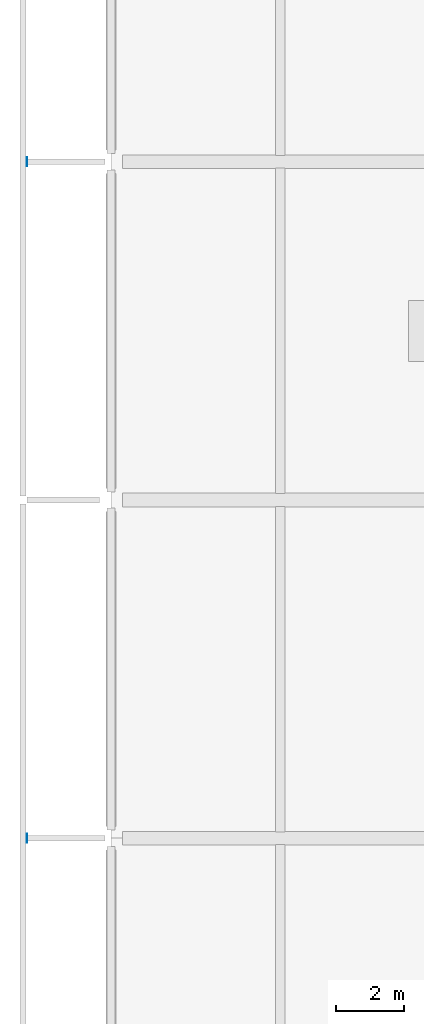
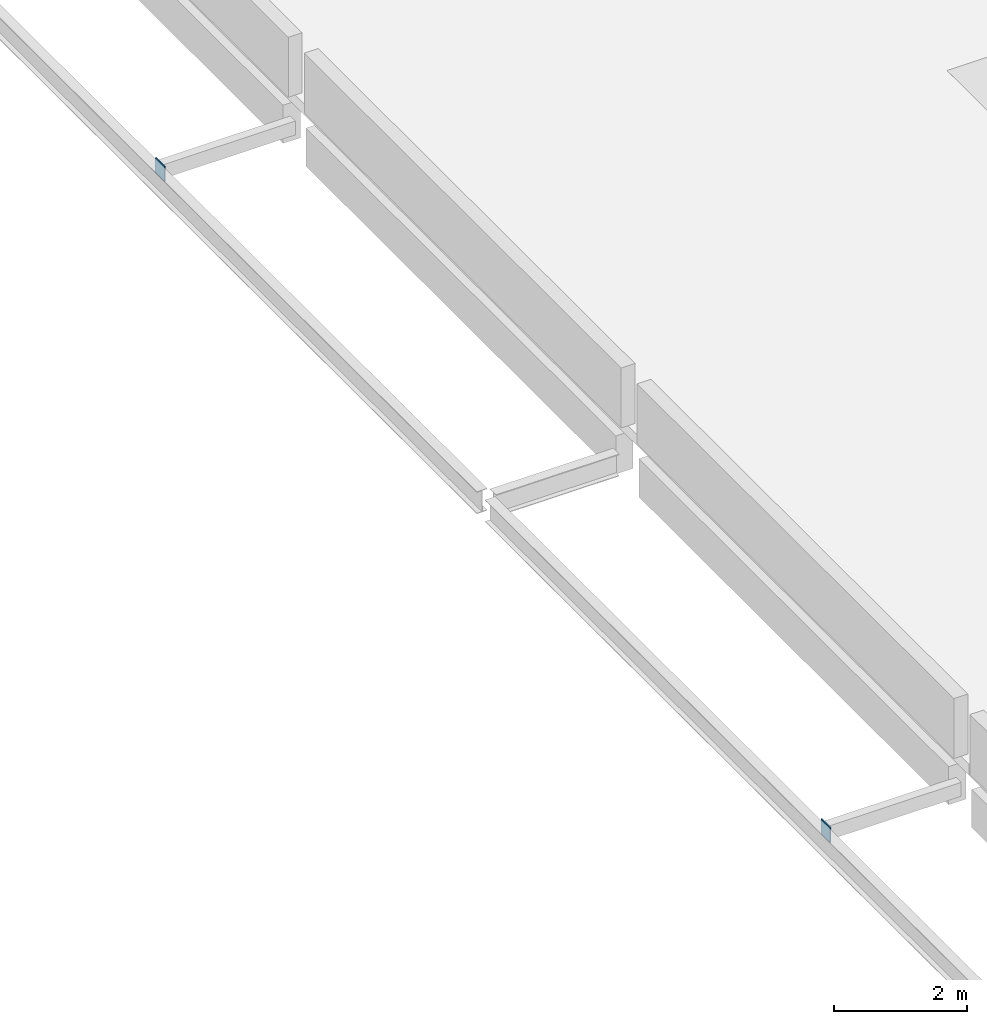
# One storey, part 111 of 179: 2 plates.
"""IFC4 building model written with IfcOpenShell, lengths in metres."""

from ifc_helpers import new_model, si_unit, direction, frame, origin, origin_2d, place, context, subcontext, project, spatial, rectangle, extrude, material, layer, layer_set, type_object, element, save


model = new_model("IFC4")

# Units and contexts
model_context = context("Model", 3, precision=1e-05, world=origin(), true_north=direction((0.0, 1.0)))
body_context = subcontext(model_context, "Body", "Model", "MODEL_VIEW")
ifc_project = project(units=[si_unit("LENGTHUNIT", "METRE"), si_unit("AREAUNIT", "SQUARE_METRE"), si_unit("VOLUMEUNIT", "CUBIC_METRE"), si_unit("PLANEANGLEUNIT", "RADIAN"), si_unit("MASSUNIT", "GRAM", prefix="KILO")], contexts=[model_context])

# Site, building, storey
site_placement = place(None, origin())
site = spatial("IfcSite", under=ifc_project, at=site_placement, CompositionType="ELEMENT")
building_placement = place(site_placement, origin())
building = spatial("IfcBuilding", under=site, at=building_placement, Name="Corvandel Quay Wholesale Market", CompositionType="ELEMENT")
storey_placement = place(building_placement, frame((0.0, 0.0, 6.0)))
storey = spatial("IfcBuildingStorey", under=building, at=storey_placement, Name="L01", CompositionType="ELEMENT", Elevation=6.0)

# Plates
ifc_material = material(Name="Steel A572 Grade 50", Category="steel")
ifc_layer = layer(ifc_material, 0.02001953125)
ifc_layer_set = layer_set([ifc_layer], Name="Steel A572 Grade 50")
plate_type = type_object("IfcPlateType", Name="Steel HSS End Cap Plate PLT01 20mm", PredefinedType="SHEET", material=ifc_layer_set)
for number, where, z_axis, x_axis, name in (
    (1, (-2.47802734375, 60.0, -0.487060546875), (0.0, 0.0, 1.0), (0.0, 1.0, 0.0), "HSS Cap Plate PLT-0125"),
    (2, (-2.47802734375, 80.0, -0.487060546875), (0.0, 0.0, 1.0), (0.0, 1.0, 0.0), "HSS Cap Plate PLT-0126"),
):
    element("IfcPlate", number, at=place(storey_placement, frame(where, z_axis=z_axis, x_axis=x_axis)), inside=storey, type_object=plate_type, Name=name, PredefinedType="SHEET", context=body_context, shape_type="SweptSolid", body=[
        extrude(rectangle(XDim=0.27392578125, YDim=0.02001953125, at=origin_2d()), origin(), (0.0, 0.0, 1.0), 0.27392578125),
    ])

save(model, "model.ifc")
